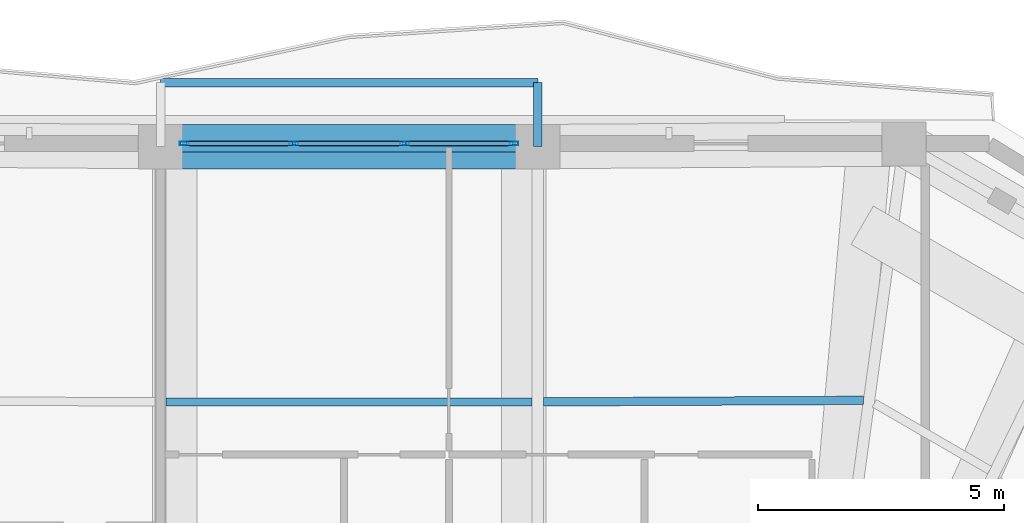
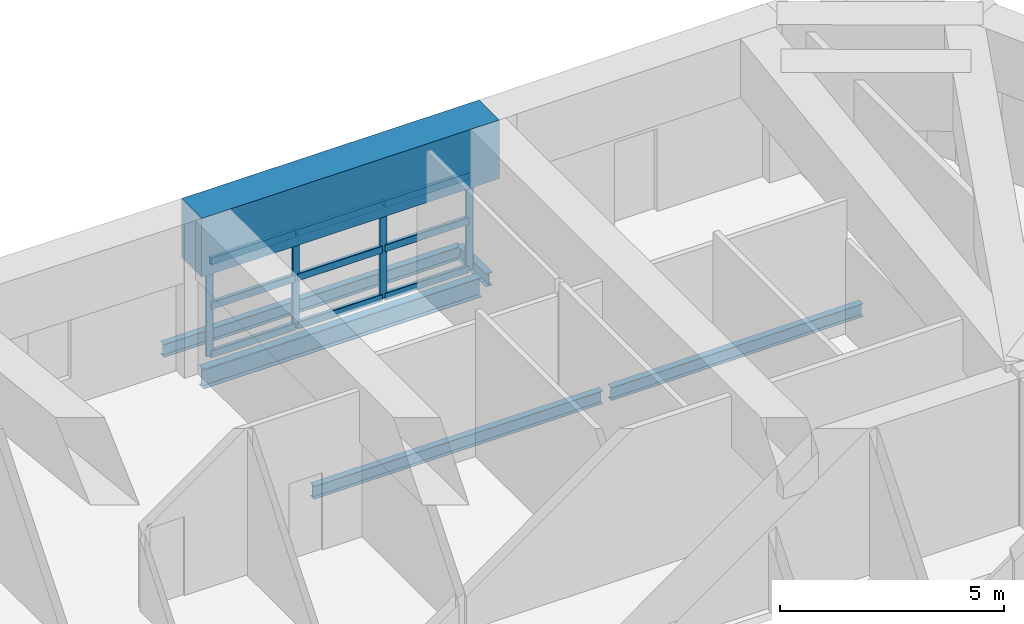
# One storey, part 9 of 20: 13 members, 6 beams, 1 element without a shape of its own.
"""IFC4 building model written with IfcOpenShell, lengths in metres."""

from ifc_helpers import new_model, si_unit, direction, frame, origin, origin_2d, place, context, subcontext, project, spatial, rectangle, hollow_rectangle, i_section, extrude, material, layer, layer_set, material_profile, profile_set, type_object, element, aggregate, save


model = new_model("IFC4")

# Units and contexts
model_context = context("Model", 3, precision=1e-05, world=origin(), true_north=direction((0.0, 1.0)))
body_context = subcontext(model_context, "Body", "Model", "MODEL_VIEW")
ifc_project = project(units=[si_unit("LENGTHUNIT", "METRE"), si_unit("AREAUNIT", "SQUARE_METRE"), si_unit("VOLUMEUNIT", "CUBIC_METRE"), si_unit("PLANEANGLEUNIT", "RADIAN"), si_unit("MASSUNIT", "GRAM", prefix="KILO")], contexts=[model_context])

# Site, building, storey
site_placement = place(None, origin())
site = spatial("IfcSite", under=ifc_project, at=site_placement, CompositionType="ELEMENT")
building_placement = place(site_placement, origin())
building = spatial("IfcBuilding", under=site, at=building_placement, Name="Cinnabar Lancet Tower", CompositionType="ELEMENT")
storey_placement = place(building_placement, frame((0.0, 0.0, 167.699951171875)))
storey = spatial("IfcBuildingStorey", under=building, at=storey_placement, Name="L44", CompositionType="ELEMENT", Elevation=167.699951171875)

# Curtain wall, members
ifc_material_1 = material(Name="Thermally broken bronze-anodized aluminium and low-E glass", Category="aluminium")
ifc_layer = layer(ifc_material_1, 0.179931640625)
ifc_layer_set = layer_set([ifc_layer], Name="Thermally broken bronze-anodized aluminium and low-E glass")
curtain_wall_type = type_object("IfcCurtainWallType", Name="ENV-CW-SYS-03", PredefinedType="NOTDEFINED", material=ifc_layer_set)
curtain_wall_placement = place(storey_placement, origin())
curtain_wall = element("IfcCurtainWall", 1, at=curtain_wall_placement, inside=storey, type_object=curtain_wall_type, Name="L44 Face 4 Feature Curtain Wall", PredefinedType="NOTDEFINED")
ifc_material_2 = material(Name="Anodized architectural aluminium 6063-T6", Category="aluminium")
ifc_material_profile_1 = material_profile(ifc_material_2, hollow_rectangle(XDim=0.074951171875, YDim=0.179931640625, WallThickness=0.00390625, InnerFilletRadius=0.001953125, OuterFilletRadius=0.006103515625, at=origin_2d()), Name="CW-MUL 180x75x4")
ifc_profile_set_1 = profile_set([ifc_material_profile_1], Name="Anodized architectural aluminium 6063-T6")
member_type_1 = type_object("IfcMemberType", Name="ENV-CW-MUL-180", PredefinedType="MULLION", material=ifc_profile_set_1)
member_1_placement = place(storey_placement, frame((35.748046875, 47.669921875, 0.0), z_axis=(0.0, 0.0, 1.0), x_axis=(0.0, -1.0, 0.0)))
member_1 = element("IfcMember", 2, at=member_1_placement, type_object=member_type_1, Name="CW-03 mullion 1", PredefinedType="MULLION", context=body_context, shape_type="SweptSolid", body=[
    extrude(hollow_rectangle(XDim=0.074951171875, YDim=0.179931640625, WallThickness=0.00390625, InnerFilletRadius=0.001953125, OuterFilletRadius=0.006103515625, at=origin_2d()), origin(), (0.0, 0.0, 1.0), 2.590087890625),
])
member_2_placement = place(storey_placement, frame((33.52587890625, 47.669921875, 0.0), z_axis=(0.0, 0.0, 1.0), x_axis=(0.0, -1.0, 0.0)))
member_2 = element("IfcMember", 3, at=member_2_placement, type_object=member_type_1, Name="CW-03 mullion 2", PredefinedType="MULLION", context=body_context, shape_type="SweptSolid", body=[
    extrude(hollow_rectangle(XDim=0.074951171875, YDim=0.179931640625, WallThickness=0.00390625, InnerFilletRadius=0.001953125, OuterFilletRadius=0.006103515625, at=origin_2d()), origin(), (0.0, 0.0, 1.0), 2.590087890625),
])
member_3_placement = place(storey_placement, frame((31.27392578125, 47.669921875, 0.0), z_axis=(0.0, 0.0, 1.0), x_axis=(0.0, -1.0, 0.0)))
member_3 = element("IfcMember", 4, at=member_3_placement, type_object=member_type_1, Name="CW-03 mullion 3", PredefinedType="MULLION", context=body_context, shape_type="SweptSolid", body=[
    extrude(hollow_rectangle(XDim=0.074951171875, YDim=0.179931640625, WallThickness=0.00390625, InnerFilletRadius=0.001953125, OuterFilletRadius=0.006103515625, at=origin_2d()), origin(), (0.0, 0.0, 1.0), 2.590087890625),
])
member_4_placement = place(storey_placement, frame((29.052001953125, 47.669921875, 0.0), z_axis=(0.0, 0.0, 1.0), x_axis=(0.0, -1.0, 0.0)))
member_4 = element("IfcMember", 5, at=member_4_placement, type_object=member_type_1, Name="CW-03 mullion 4", PredefinedType="MULLION", context=body_context, shape_type="SweptSolid", body=[
    extrude(hollow_rectangle(XDim=0.074951171875, YDim=0.179931640625, WallThickness=0.00390625, InnerFilletRadius=0.001953125, OuterFilletRadius=0.006103515625, at=origin_2d()), origin(), (0.0, 0.0, 1.0), 2.590087890625),
])
ifc_material_3 = material(Name="Anodized architectural aluminium 6063-T6", Category="aluminium")
ifc_material_profile_2 = material_profile(ifc_material_3, hollow_rectangle(XDim=0.10009765625, YDim=0.199951171875, WallThickness=0.008056640625, InnerFilletRadius=0.00390625, OuterFilletRadius=0.011962890625, at=origin_2d()), Name="RHS 200x100x8")
ifc_profile_set_2 = profile_set([ifc_material_profile_2], Name="Anodized architectural aluminium 6063-T6")
member_type_2 = type_object("IfcMemberType", Name="ENV-CW-TRN-140", PredefinedType="USERDEFINED", material=ifc_profile_set_2)
member_5_placement = place(storey_placement, frame((35.718017578125, 47.669921875, 0.030029296875), z_axis=(-1.0, 0.0, 0.0), x_axis=(0.0, -1.0, 0.0)))
member_5 = element("IfcMember", 6, at=member_5_placement, type_object=member_type_2, Name="CW-03 transom 1.1", ObjectType="TRANSOM", PredefinedType="USERDEFINED", context=body_context, shape_type="SweptSolid", body=[
    extrude(hollow_rectangle(XDim=0.10009765625, YDim=0.199951171875, WallThickness=0.008056640625, InnerFilletRadius=0.00390625, OuterFilletRadius=0.011962890625, at=origin_2d()), origin(), (0.0, 0.0, 1.0), 2.162109375),
])
member_6_placement = place(storey_placement, frame((35.718017578125, 47.669921875, 1.34716796875), z_axis=(-1.0, 0.0, 0.0), x_axis=(0.0, -1.0, 0.0)))
member_6 = element("IfcMember", 7, at=member_6_placement, type_object=member_type_2, Name="CW-03 transom 1.2", ObjectType="TRANSOM", PredefinedType="USERDEFINED", context=body_context, shape_type="SweptSolid", body=[
    extrude(hollow_rectangle(XDim=0.10009765625, YDim=0.199951171875, WallThickness=0.008056640625, InnerFilletRadius=0.00390625, OuterFilletRadius=0.011962890625, at=origin_2d()), origin(), (0.0, 0.0, 1.0), 2.162109375),
])
member_7_placement = place(storey_placement, frame((35.718017578125, 47.669921875, 2.56005859375), z_axis=(-1.0, 0.0, 0.0), x_axis=(0.0, -1.0, 0.0)))
member_7 = element("IfcMember", 8, at=member_7_placement, type_object=member_type_2, Name="CW-03 transom 1.3", ObjectType="TRANSOM", PredefinedType="USERDEFINED", context=body_context, shape_type="SweptSolid", body=[
    extrude(hollow_rectangle(XDim=0.10009765625, YDim=0.199951171875, WallThickness=0.008056640625, InnerFilletRadius=0.00390625, OuterFilletRadius=0.011962890625, at=origin_2d()), origin(), (0.0, 0.0, 1.0), 2.162109375),
])
member_8_placement = place(storey_placement, frame((33.49609375, 47.669921875, 0.030029296875), z_axis=(-1.0, 0.0, 0.0), x_axis=(0.0, -1.0, 0.0)))
member_8 = element("IfcMember", 9, at=member_8_placement, type_object=member_type_2, Name="CW-03 transom 2.1", ObjectType="TRANSOM", PredefinedType="USERDEFINED", context=body_context, shape_type="SweptSolid", body=[
    extrude(hollow_rectangle(XDim=0.10009765625, YDim=0.199951171875, WallThickness=0.008056640625, InnerFilletRadius=0.00390625, OuterFilletRadius=0.011962890625, at=origin_2d()), origin(), (0.0, 0.0, 1.0), 2.192138671875),
])
member_9_placement = place(storey_placement, frame((33.49609375, 47.669921875, 1.34716796875), z_axis=(-1.0, 0.0, 0.0), x_axis=(0.0, -1.0, 0.0)))
member_9 = element("IfcMember", 10, at=member_9_placement, type_object=member_type_2, Name="CW-03 transom 2.2", ObjectType="TRANSOM", PredefinedType="USERDEFINED", context=body_context, shape_type="SweptSolid", body=[
    extrude(hollow_rectangle(XDim=0.10009765625, YDim=0.199951171875, WallThickness=0.008056640625, InnerFilletRadius=0.00390625, OuterFilletRadius=0.011962890625, at=origin_2d()), origin(), (0.0, 0.0, 1.0), 2.192138671875),
])
member_10_placement = place(storey_placement, frame((33.49609375, 47.669921875, 2.56005859375), z_axis=(-1.0, 0.0, 0.0), x_axis=(0.0, -1.0, 0.0)))
member_10 = element("IfcMember", 11, at=member_10_placement, type_object=member_type_2, Name="CW-03 transom 2.3", ObjectType="TRANSOM", PredefinedType="USERDEFINED", context=body_context, shape_type="SweptSolid", body=[
    extrude(hollow_rectangle(XDim=0.10009765625, YDim=0.199951171875, WallThickness=0.008056640625, InnerFilletRadius=0.00390625, OuterFilletRadius=0.011962890625, at=origin_2d()), origin(), (0.0, 0.0, 1.0), 2.192138671875),
])
member_11_placement = place(storey_placement, frame((31.243896484375, 47.669921875, 0.030029296875), z_axis=(-1.0, 0.0, 0.0), x_axis=(0.0, -1.0, 0.0)))
member_11 = element("IfcMember", 12, at=member_11_placement, type_object=member_type_2, Name="CW-03 transom 3.1", ObjectType="TRANSOM", PredefinedType="USERDEFINED", context=body_context, shape_type="SweptSolid", body=[
    extrude(hollow_rectangle(XDim=0.10009765625, YDim=0.199951171875, WallThickness=0.008056640625, InnerFilletRadius=0.00390625, OuterFilletRadius=0.011962890625, at=origin_2d()), origin(), (0.0, 0.0, 1.0), 2.161865234375),
])
member_12_placement = place(storey_placement, frame((31.243896484375, 47.669921875, 1.34716796875), z_axis=(-1.0, 0.0, 0.0), x_axis=(0.0, -1.0, 0.0)))
member_12 = element("IfcMember", 13, at=member_12_placement, type_object=member_type_2, Name="CW-03 transom 3.2", ObjectType="TRANSOM", PredefinedType="USERDEFINED", context=body_context, shape_type="SweptSolid", body=[
    extrude(hollow_rectangle(XDim=0.10009765625, YDim=0.199951171875, WallThickness=0.008056640625, InnerFilletRadius=0.00390625, OuterFilletRadius=0.011962890625, at=origin_2d()), origin(), (0.0, 0.0, 1.0), 2.161865234375),
])
member_13_placement = place(storey_placement, frame((31.243896484375, 47.669921875, 2.56005859375), z_axis=(-1.0, 0.0, 0.0), x_axis=(0.0, -1.0, 0.0)))
member_13 = element("IfcMember", 14, at=member_13_placement, type_object=member_type_2, Name="CW-03 transom 3.3", ObjectType="TRANSOM", PredefinedType="USERDEFINED", context=body_context, shape_type="SweptSolid", body=[
    extrude(hollow_rectangle(XDim=0.10009765625, YDim=0.199951171875, WallThickness=0.008056640625, InnerFilletRadius=0.00390625, OuterFilletRadius=0.011962890625, at=origin_2d()), origin(), (0.0, 0.0, 1.0), 2.161865234375),
])
aggregate(curtain_wall, [member_1, member_2, member_3, member_4, member_5, member_6, member_7, member_8, member_9, member_10, member_11, member_12, member_13])

# Beams
ifc_material_4 = material(Name="Concrete C70/85", Category="concrete")
ifc_material_profile_3 = material_profile(ifc_material_4, rectangle(XDim=0.89990234375, YDim=1.60009765625, at=origin_2d()), Name="RC-BG 900x1600")
ifc_profile_set_3 = profile_set([ifc_material_profile_3], Name="Concrete C70/85")
beam_type_1 = type_object("IfcBeamType", Name="STR-BM-BG-1600", PredefinedType="BEAM", material=ifc_profile_set_3)
beam_1_placement = place(storey_placement, frame((36.23193359375, 47.60791015625, 3.400146484375), z_axis=(-1.0, 0.0, 0.0), x_axis=(0.0, -1.0, 0.0)))
element("IfcBeam", 15, at=beam_1_placement, inside=storey, type_object=beam_type_1, Name="L45 Setback Outer Ring Girder 14", PredefinedType="BEAM", context=body_context, shape_type="SweptSolid", body=[
    extrude(rectangle(XDim=0.89990234375, YDim=1.60009765625, at=origin_2d()), origin(), (0.0, 0.0, 1.0), 7.663818359375),
])
ifc_material_5 = material(Name="Structural steel S355", Category="steel")
ifc_material_profile_4 = material_profile(ifc_material_5, i_section(OverallWidth=0.17138671875, OverallDepth=0.35498046875, WebThickness=0.00732421875, FlangeThickness=0.011474609375, FilletRadius=0.01025390625, at=origin_2d()), Name="UKB 356x171x51")
ifc_profile_set_4 = profile_set([ifc_material_profile_4], Name="Structural steel S355")
beam_type_2 = type_object("IfcBeamType", Name="STR-BM-JST-356", PredefinedType="JOIST", material=ifc_profile_set_4)
beam_2_placement = place(storey_placement, frame((42.844970703125, 42.4541015625, -0.387939453125), z_axis=(-0.999987891549, -0.004921052359, 0.0), x_axis=(0.004921052359, -0.999987891549, 0.0)))
element("IfcBeam", 16, at=beam_2_placement, inside=storey, type_object=beam_type_2, Name="L44 Secondary Floor Joist 33", PredefinedType="JOIST", context=body_context, shape_type="SweptSolid", body=[
    extrude(i_section(OverallWidth=0.17138671875, OverallDepth=0.35498046875, WebThickness=0.00732421875, FlangeThickness=0.011474609375, FilletRadius=0.01025390625, at=origin_2d()), origin(), (0.0, 0.0, 1.0), 6.4990234375),
])
beam_3_placement = place(storey_placement, frame((36.117919921875, 42.4208984375, -0.387939453125), z_axis=(-1.0, 0.0, 0.0), x_axis=(0.0, -1.0, 0.0)))
element("IfcBeam", 17, at=beam_3_placement, inside=storey, type_object=beam_type_2, Name="L44 Secondary Floor Joist 35", PredefinedType="JOIST", context=body_context, shape_type="SweptSolid", body=[
    extrude(i_section(OverallWidth=0.17138671875, OverallDepth=0.35498046875, WebThickness=0.00732421875, FlangeThickness=0.011474609375, FilletRadius=0.01025390625, at=origin_2d()), origin(), (0.0, 0.0, 1.0), 7.43603515625),
])
ifc_material_6 = material(Name="Structural steel S355", Category="steel")
ifc_material_profile_5 = material_profile(ifc_material_6, i_section(OverallWidth=0.209228515625, OverallDepth=0.533203125, WebThickness=0.010009765625, FlangeThickness=0.015625, FilletRadius=0.0126953125, at=origin_2d()), Name="UKB 533x210x92")
ifc_profile_set_5 = profile_set([ifc_material_profile_5], Name="Structural steel S355")
beam_type_3 = type_object("IfcBeamType", Name="STR-BM-SPN-533", PredefinedType="SPANDREL", material=ifc_profile_set_5)
beam_4_placement = place(storey_placement, frame((35.98193359375, 47.60791015625, -0.47705078125), z_axis=(-1.0, 0.0, 0.0), x_axis=(0.0, -1.0, 0.0)))
element("IfcBeam", 18, at=beam_4_placement, inside=storey, type_object=beam_type_3, Name="L44 Perimeter Spandrel 14", PredefinedType="SPANDREL", context=body_context, shape_type="SweptSolid", body=[
    extrude(i_section(OverallWidth=0.209228515625, OverallDepth=0.533203125, WebThickness=0.010009765625, FlangeThickness=0.015625, FilletRadius=0.0126953125, at=origin_2d()), origin(), (0.0, 0.0, 1.0), 7.163818359375),
])
ifc_material_7 = material(Name="Structural steel S355", Category="steel")
ifc_material_profile_6 = material_profile(ifc_material_7, i_section(OverallWidth=0.17138671875, OverallDepth=0.35498046875, WebThickness=0.00732421875, FlangeThickness=0.011474609375, FilletRadius=0.01025390625, at=origin_2d()), Name="UKB 356x171x51")
ifc_profile_set_6 = profile_set([ifc_material_profile_6], Name="Structural steel S355")
beam_type_4 = type_object("IfcBeamType", Name="STR-BM-WAV-OUT", PredefinedType="BEAM", material=ifc_profile_set_6)
beam_5_placement = place(storey_placement, frame((36.23193359375, 47.60791015625, -0.41796875), z_axis=(0.0, 1.0, 0.0), x_axis=(-1.0, 0.0, 0.0)))
element("IfcBeam", 19, at=beam_5_placement, inside=storey, type_object=beam_type_4, Name="L44 Face 4 Balcony Outlooker A", PredefinedType="BEAM", context=body_context, shape_type="SweptSolid", body=[
    extrude(i_section(OverallWidth=0.17138671875, OverallDepth=0.35498046875, WebThickness=0.00732421875, FlangeThickness=0.011474609375, FilletRadius=0.01025390625, at=origin_2d()), origin(), (0.0, 0.0, 1.0), 1.300048828125),
])
ifc_material_8 = material(Name="Structural steel S355", Category="steel")
ifc_material_profile_7 = material_profile(ifc_material_8, i_section(OverallWidth=0.17138671875, OverallDepth=0.35498046875, WebThickness=0.00732421875, FlangeThickness=0.011474609375, FilletRadius=0.01025390625, at=origin_2d()), Name="UKB 356x171x51")
ifc_profile_set_7 = profile_set([ifc_material_profile_7], Name="Structural steel S355")
beam_type_5 = type_object("IfcBeamType", Name="STR-BM-WAV-TRIM", PredefinedType="SPANDREL", material=ifc_profile_set_7)
beam_6_placement = place(storey_placement, frame((36.23193359375, 48.907958984375, -0.41796875), z_axis=(-1.0, 0.0, 0.0), x_axis=(0.0, -1.0, 0.0)))
element("IfcBeam", 20, at=beam_6_placement, inside=storey, type_object=beam_type_5, Name="L44 Face 4 Balcony Edge Trimmer", PredefinedType="SPANDREL", context=body_context, shape_type="SweptSolid", body=[
    extrude(i_section(OverallWidth=0.17138671875, OverallDepth=0.35498046875, WebThickness=0.00732421875, FlangeThickness=0.011474609375, FilletRadius=0.01025390625, at=origin_2d()), origin(), (0.0, 0.0, 1.0), 7.663818359375),
])

save(model, "model.ifc")
